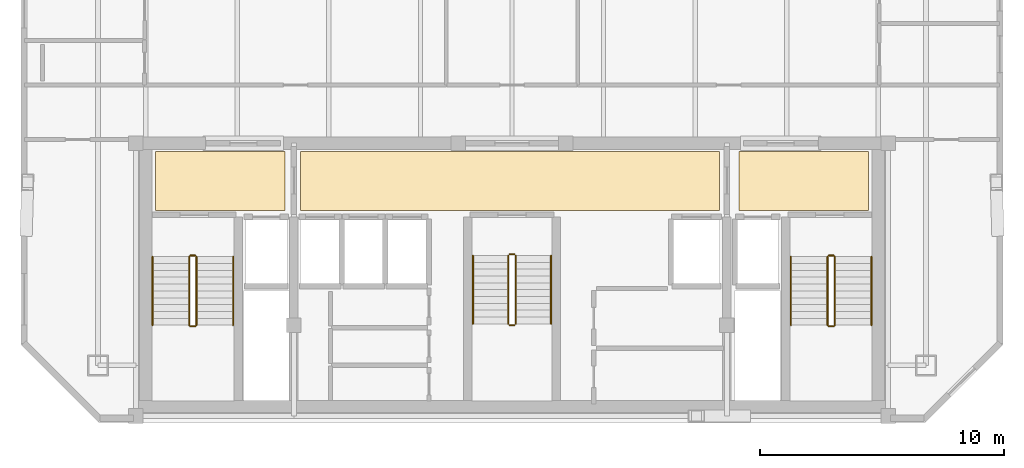
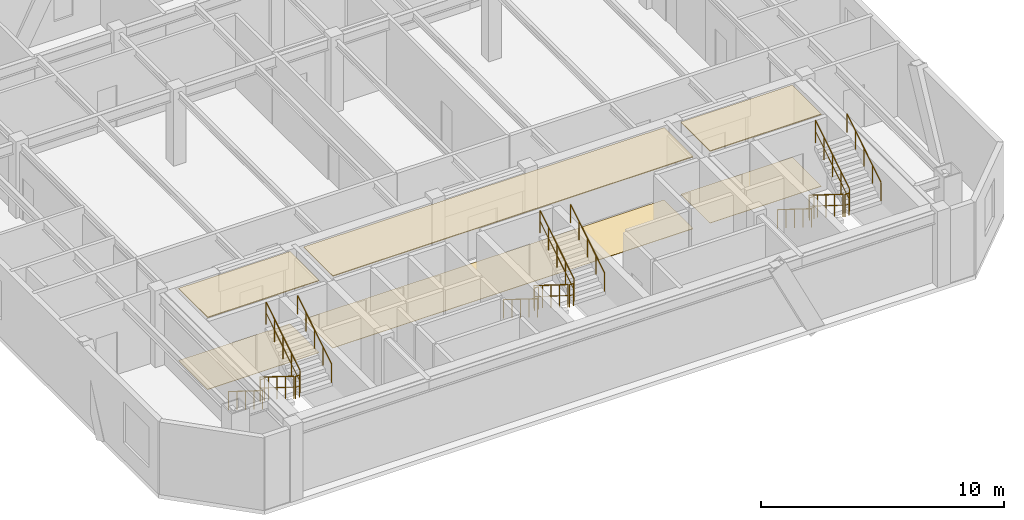
# One storey, part 6 of 6: 18 railings, 6 coverings.
"""IFC4 building model written with IfcOpenShell, lengths in metres."""

from ifc_helpers import new_model, si_unit, direction, frame, origin, origin_2d, place, context, subcontext, project, spatial, polyline, circle, outline, extrude, material, layer, layer_set, type_object, element, save


model = new_model("IFC4")

# Units and contexts
model_context = context("Model", 3, precision=1e-05, world=origin(), true_north=direction((0.0, 1.0)))
body_context = subcontext(model_context, "Body", "Model", "MODEL_VIEW")
ifc_project = project(units=[si_unit("LENGTHUNIT", "METRE"), si_unit("AREAUNIT", "SQUARE_METRE"), si_unit("VOLUMEUNIT", "CUBIC_METRE"), si_unit("PLANEANGLEUNIT", "RADIAN"), si_unit("MASSUNIT", "GRAM", prefix="KILO")], contexts=[model_context])

# Site, building, storey
site_placement = place(None, origin())
site = spatial("IfcSite", under=ifc_project, at=site_placement, CompositionType="ELEMENT")
building_placement = place(site_placement, origin())
building = spatial("IfcBuilding", under=site, at=building_placement, Name="Ventersveld Concourse Tower", CompositionType="ELEMENT")
storey_placement = place(building_placement, frame((0.0, 0.0, 296.449951171875)))
storey = spatial("IfcBuildingStorey", under=building, at=storey_placement, Name="L73", CompositionType="ELEMENT", Elevation=296.449951171875)

# Coverings
ifc_material_1 = material(Name="Mineral-fibre acoustic ceiling tile", Category="gypsum")
ifc_layer_1 = layer(ifc_material_1, 0.0400390625)
ifc_layer_set_1 = layer_set([ifc_layer_1], Name="Mineral-fibre acoustic ceiling tile")
covering_type_1 = type_object("IfcCoveringType", Name="COV-CEIL-ACOUSTIC", PredefinedType="CEILING", material=ifc_layer_set_1)
covering_1_placement = place(storey_placement, frame((0.0, 0.0, 3.610107421875)))
element("IfcCovering", 1, at=covering_1_placement, inside=storey, type_object=covering_type_1, Name="L73 North Lift Lobby Acoustic Ceiling", PredefinedType="CEILING", context=body_context, shape_type="SweptSolid", body=[
    extrude(outline(polyline([(20.10009765625, 8.699951171875), (37.25, 8.699951171875), (37.25, 11.10009765625), (20.10009765625, 11.10009765625), (20.10009765625, 8.699951171875)])), origin(), (0.0, 0.0, 1.0), 0.0400390625),
])
covering_2_placement = place(storey_placement, frame((0.0, 0.0, 3.610107421875)))
element("IfcCovering", 2, at=covering_2_placement, inside=storey, type_object=covering_type_1, Name="L73 West Firefighting Lobby Acoustic Ceiling", PredefinedType="CEILING", context=body_context, shape_type="SweptSolid", body=[
    extrude(outline(polyline([(14.14990234375, 8.699951171875), (19.449951171875, 8.699951171875), (19.449951171875, 11.10009765625), (14.14990234375, 11.10009765625), (14.14990234375, 8.699951171875)])), origin(), (0.0, 0.0, 1.0), 0.0400390625),
])
covering_3_placement = place(storey_placement, frame((0.0, 0.0, 3.610107421875)))
element("IfcCovering", 3, at=covering_3_placement, inside=storey, type_object=covering_type_1, Name="L73 East Firefighting Lobby Acoustic Ceiling", PredefinedType="CEILING", context=body_context, shape_type="SweptSolid", body=[
    extrude(outline(polyline([(38.050048828125, 8.699951171875), (43.35009765625, 8.699951171875), (43.35009765625, 11.10009765625), (38.050048828125, 11.10009765625), (38.050048828125, 8.699951171875)])), origin(), (0.0, 0.0, 1.0), 0.0400390625),
])
ifc_material_2 = material(Name="Polished Highveld granite terrazzo", Category="masonry")
ifc_layer_2 = layer(ifc_material_2, 0.02001953125)
ifc_layer_set_2 = layer_set([ifc_layer_2], Name="Polished Highveld granite terrazzo")
covering_type_2 = type_object("IfcCoveringType", Name="COV-FLOOR-TERRAZZO", PredefinedType="FLOORING", material=ifc_layer_set_2)
covering_4_placement = place(storey_placement, origin())
element("IfcCovering", 4, at=covering_4_placement, inside=storey, type_object=covering_type_2, Name="L73 North Lift Lobby Terrazzo Flooring", PredefinedType="FLOORING", context=body_context, shape_type="SweptSolid", body=[
    extrude(outline(polyline([(20.10009765625, 8.699951171875), (37.25, 8.699951171875), (37.25, 11.10009765625), (20.10009765625, 11.10009765625), (20.10009765625, 8.699951171875)])), origin(), (0.0, 0.0, 1.0), 0.02001953125),
])
covering_5_placement = place(storey_placement, origin())
element("IfcCovering", 5, at=covering_5_placement, inside=storey, type_object=covering_type_2, Name="L73 West Firefighting Lobby Terrazzo Flooring", PredefinedType="FLOORING", context=body_context, shape_type="SweptSolid", body=[
    extrude(outline(polyline([(14.14990234375, 8.699951171875), (19.449951171875, 8.699951171875), (19.449951171875, 11.10009765625), (14.14990234375, 11.10009765625), (14.14990234375, 8.699951171875)])), origin(), (0.0, 0.0, 1.0), 0.02001953125),
])
covering_6_placement = place(storey_placement, origin())
element("IfcCovering", 6, at=covering_6_placement, inside=storey, type_object=covering_type_2, Name="L73 East Firefighting Lobby Terrazzo Flooring", PredefinedType="FLOORING", context=body_context, shape_type="SweptSolid", body=[
    extrude(outline(polyline([(38.050048828125, 8.699951171875), (43.35009765625, 8.699951171875), (43.35009765625, 11.10009765625), (38.050048828125, 11.10009765625), (38.050048828125, 8.699951171875)])), origin(), (0.0, 0.0, 1.0), 0.02001953125),
])

# Railings
ifc_material_3 = material(Name="Brushed stainless steel 316", Category="steel")
railing_type_1 = type_object("IfcRailingType", Name="GD-BAL-115", PredefinedType="GUARDRAIL", material=ifc_material_3)
railing_1_placement = place(storey_placement, frame((15.530029296875, 6.800048828125, 0.175048828125)))
element("IfcRailing", 7, at=railing_1_placement, inside=storey, type_object=railing_type_1, Name="L73 ST-01 stair guard 1", PredefinedType="GUARDRAIL", context=body_context, shape_type="SweptSolid", body=[
    extrude(circle(Radius=0.02392578125, at=origin_2d()), frame((0.0, 0.0, 1.1259765625), z_axis=(0.0, -0.848002457836, 0.529992293815), x_axis=(1.0, 0.0, 0.0)), (0.0, 0.0, 1.0), 3.302001953125),
    extrude(circle(Radius=0.01611328125, at=origin_2d()), frame((0.0, 0.0, 0.574951171875), z_axis=(0.0, -0.848002457836, 0.529992293815), x_axis=(1.0, 0.0, 0.0)), (0.0, 0.0, 1.0), 3.302001953125),
    extrude(circle(Radius=0.02099609375, at=origin_2d()), origin(), (0.0, 0.0, 1.0), 1.101806640625),
    extrude(circle(Radius=0.02099609375, at=origin_2d()), frame((0.0, -0.699951171875, 0.4375)), (0.0, 0.0, 1.0), 1.101806640625),
    extrude(circle(Radius=0.02099609375, at=origin_2d()), frame((0.0, -1.39990234375, 0.875)), (0.0, 0.0, 1.0), 1.101806640625),
    extrude(circle(Radius=0.02099609375, at=origin_2d()), frame((0.0, -2.10009765625, 1.3125)), (0.0, 0.0, 1.0), 1.101806640625),
    extrude(circle(Radius=0.02099609375, at=origin_2d()), frame((0.0, -2.800048828125, 1.75)), (0.0, 0.0, 1.0), 1.101806640625),
])
railing_2_placement = place(storey_placement, frame((15.580078125, 3.949951171875, 1.925048828125)))
element("IfcRailing", 8, at=railing_2_placement, inside=storey, type_object=railing_type_1, Name="L73 ST-01 stair guard 2", PredefinedType="GUARDRAIL", context=body_context, shape_type="SweptSolid", body=[
    extrude(circle(Radius=0.02392578125, at=origin_2d()), frame((0.0, 0.0, 1.1259765625), z_axis=(1.0, 0.0, 0.0), x_axis=(0.0, 1.0, 0.0)), (0.0, 0.0, 1.0), 0.199951171875),
    extrude(circle(Radius=0.01611328125, at=origin_2d()), frame((0.0, 0.0, 0.574951171875), z_axis=(1.0, 0.0, 0.0), x_axis=(0.0, 1.0, 0.0)), (0.0, 0.0, 1.0), 0.199951171875),
    extrude(circle(Radius=0.02099609375, at=origin_2d()), origin(), (0.0, 0.0, 1.0), 1.101806640625),
    extrude(circle(Radius=0.02099609375, at=origin_2d()), frame((0.199951171875, 0.0, 0.0)), (0.0, 0.0, 1.0), 1.101806640625),
])
railing_3_placement = place(storey_placement, frame((15.830078125, 4.0, 2.10009765625)))
element("IfcRailing", 9, at=railing_3_placement, inside=storey, type_object=railing_type_1, Name="L73 ST-01 stair guard 3", PredefinedType="GUARDRAIL", context=body_context, shape_type="SweptSolid", body=[
    extrude(circle(Radius=0.02392578125, at=origin_2d()), frame((0.0, 0.0, 1.1259765625), z_axis=(0.0, 0.848002457836, 0.529992293815), x_axis=(-1.0, 0.0, 0.0)), (0.0, 0.0, 1.0), 3.302001953125),
    extrude(circle(Radius=0.01611328125, at=origin_2d()), frame((0.0, 0.0, 0.574951171875), z_axis=(0.0, 0.848002457836, 0.529992293815), x_axis=(-1.0, 0.0, 0.0)), (0.0, 0.0, 1.0), 3.302001953125),
    extrude(circle(Radius=0.02099609375, at=origin_2d()), origin(), (0.0, 0.0, 1.0), 1.101806640625),
    extrude(circle(Radius=0.02099609375, at=origin_2d()), frame((0.0, 0.699951171875, 0.4375)), (0.0, 0.0, 1.0), 1.101806640625),
    extrude(circle(Radius=0.02099609375, at=origin_2d()), frame((0.0, 1.39990234375, 0.875)), (0.0, 0.0, 1.0), 1.101806640625),
    extrude(circle(Radius=0.02099609375, at=origin_2d()), frame((0.0, 2.10009765625, 1.3125)), (0.0, 0.0, 1.0), 1.101806640625),
    extrude(circle(Radius=0.02099609375, at=origin_2d()), frame((0.0, 2.800048828125, 1.75)), (0.0, 0.0, 1.0), 1.101806640625),
])
railing_4_placement = place(storey_placement, frame((15.580078125, 6.85009765625, 0.0)))
element("IfcRailing", 10, at=railing_4_placement, inside=storey, type_object=railing_type_1, Name="L73 ST-01 stair guard 4", PredefinedType="GUARDRAIL", context=body_context, shape_type="SweptSolid", body=[
    extrude(circle(Radius=0.02392578125, at=origin_2d()), frame((0.0, 0.0, 1.1259765625), z_axis=(1.0, 0.0, 0.0), x_axis=(0.0, 1.0, 0.0)), (0.0, 0.0, 1.0), 0.199951171875),
    extrude(circle(Radius=0.01611328125, at=origin_2d()), frame((0.0, 0.0, 0.574951171875), z_axis=(1.0, 0.0, 0.0), x_axis=(0.0, 1.0, 0.0)), (0.0, 0.0, 1.0), 0.199951171875),
    extrude(circle(Radius=0.02099609375, at=origin_2d()), origin(), (0.0, 0.0, 1.0), 1.101806640625),
    extrude(circle(Radius=0.02099609375, at=origin_2d()), frame((0.199951171875, 0.0, 0.0)), (0.0, 0.0, 1.0), 1.101806640625),
])
railing_5_placement = place(storey_placement, frame((41.669921875, 6.800048828125, 0.175048828125)))
element("IfcRailing", 11, at=railing_5_placement, inside=storey, type_object=railing_type_1, Name="L73 ST-02 stair guard 1", PredefinedType="GUARDRAIL", context=body_context, shape_type="SweptSolid", body=[
    extrude(circle(Radius=0.02392578125, at=origin_2d()), frame((0.0, 0.0, 1.1259765625), z_axis=(0.0, -0.848002457836, 0.529992293815), x_axis=(1.0, 0.0, 0.0)), (0.0, 0.0, 1.0), 3.302001953125),
    extrude(circle(Radius=0.01611328125, at=origin_2d()), frame((0.0, 0.0, 0.574951171875), z_axis=(0.0, -0.848002457836, 0.529992293815), x_axis=(1.0, 0.0, 0.0)), (0.0, 0.0, 1.0), 3.302001953125),
    extrude(circle(Radius=0.02099609375, at=origin_2d()), origin(), (0.0, 0.0, 1.0), 1.101806640625),
    extrude(circle(Radius=0.02099609375, at=origin_2d()), frame((0.0, -0.699951171875, 0.4375)), (0.0, 0.0, 1.0), 1.101806640625),
    extrude(circle(Radius=0.02099609375, at=origin_2d()), frame((0.0, -1.39990234375, 0.875)), (0.0, 0.0, 1.0), 1.101806640625),
    extrude(circle(Radius=0.02099609375, at=origin_2d()), frame((0.0, -2.10009765625, 1.3125)), (0.0, 0.0, 1.0), 1.101806640625),
    extrude(circle(Radius=0.02099609375, at=origin_2d()), frame((0.0, -2.800048828125, 1.75)), (0.0, 0.0, 1.0), 1.101806640625),
])
railing_6_placement = place(storey_placement, frame((41.719970703125, 3.949951171875, 1.925048828125)))
element("IfcRailing", 12, at=railing_6_placement, inside=storey, type_object=railing_type_1, Name="L73 ST-02 stair guard 2", PredefinedType="GUARDRAIL", context=body_context, shape_type="SweptSolid", body=[
    extrude(circle(Radius=0.02392578125, at=origin_2d()), frame((0.0, 0.0, 1.1259765625), z_axis=(1.0, 0.0, 0.0), x_axis=(0.0, 1.0, 0.0)), (0.0, 0.0, 1.0), 0.199951171875),
    extrude(circle(Radius=0.01611328125, at=origin_2d()), frame((0.0, 0.0, 0.574951171875), z_axis=(1.0, 0.0, 0.0), x_axis=(0.0, 1.0, 0.0)), (0.0, 0.0, 1.0), 0.199951171875),
    extrude(circle(Radius=0.02099609375, at=origin_2d()), origin(), (0.0, 0.0, 1.0), 1.101806640625),
    extrude(circle(Radius=0.02099609375, at=origin_2d()), frame((0.199951171875, 0.0, 0.0)), (0.0, 0.0, 1.0), 1.101806640625),
])
railing_7_placement = place(storey_placement, frame((41.969970703125, 4.0, 2.10009765625)))
element("IfcRailing", 13, at=railing_7_placement, inside=storey, type_object=railing_type_1, Name="L73 ST-02 stair guard 3", PredefinedType="GUARDRAIL", context=body_context, shape_type="SweptSolid", body=[
    extrude(circle(Radius=0.02392578125, at=origin_2d()), frame((0.0, 0.0, 1.1259765625), z_axis=(0.0, 0.848002457836, 0.529992293815), x_axis=(-1.0, 0.0, 0.0)), (0.0, 0.0, 1.0), 3.302001953125),
    extrude(circle(Radius=0.01611328125, at=origin_2d()), frame((0.0, 0.0, 0.574951171875), z_axis=(0.0, 0.848002457836, 0.529992293815), x_axis=(-1.0, 0.0, 0.0)), (0.0, 0.0, 1.0), 3.302001953125),
    extrude(circle(Radius=0.02099609375, at=origin_2d()), origin(), (0.0, 0.0, 1.0), 1.101806640625),
    extrude(circle(Radius=0.02099609375, at=origin_2d()), frame((0.0, 0.699951171875, 0.4375)), (0.0, 0.0, 1.0), 1.101806640625),
    extrude(circle(Radius=0.02099609375, at=origin_2d()), frame((0.0, 1.39990234375, 0.875)), (0.0, 0.0, 1.0), 1.101806640625),
    extrude(circle(Radius=0.02099609375, at=origin_2d()), frame((0.0, 2.10009765625, 1.3125)), (0.0, 0.0, 1.0), 1.101806640625),
    extrude(circle(Radius=0.02099609375, at=origin_2d()), frame((0.0, 2.800048828125, 1.75)), (0.0, 0.0, 1.0), 1.101806640625),
])
railing_8_placement = place(storey_placement, frame((41.719970703125, 6.85009765625, 0.0)))
element("IfcRailing", 14, at=railing_8_placement, inside=storey, type_object=railing_type_1, Name="L73 ST-02 stair guard 4", PredefinedType="GUARDRAIL", context=body_context, shape_type="SweptSolid", body=[
    extrude(circle(Radius=0.02392578125, at=origin_2d()), frame((0.0, 0.0, 1.1259765625), z_axis=(1.0, 0.0, 0.0), x_axis=(0.0, 1.0, 0.0)), (0.0, 0.0, 1.0), 0.199951171875),
    extrude(circle(Radius=0.01611328125, at=origin_2d()), frame((0.0, 0.0, 0.574951171875), z_axis=(1.0, 0.0, 0.0), x_axis=(0.0, 1.0, 0.0)), (0.0, 0.0, 1.0), 0.199951171875),
    extrude(circle(Radius=0.02099609375, at=origin_2d()), origin(), (0.0, 0.0, 1.0), 1.101806640625),
    extrude(circle(Radius=0.02099609375, at=origin_2d()), frame((0.199951171875, 0.0, 0.0)), (0.0, 0.0, 1.0), 1.101806640625),
])
railing_9_placement = place(storey_placement, frame((28.60009765625, 6.85009765625, 0.175048828125)))
element("IfcRailing", 15, at=railing_9_placement, inside=storey, type_object=railing_type_1, Name="L73 ST-03 stair guard 1", PredefinedType="GUARDRAIL", context=body_context, shape_type="SweptSolid", body=[
    extrude(circle(Radius=0.02392578125, at=origin_2d()), frame((0.0, 0.0, 1.1259765625), z_axis=(0.0, -0.848002457836, 0.529992293815), x_axis=(1.0, 0.0, 0.0)), (0.0, 0.0, 1.0), 3.302001953125),
    extrude(circle(Radius=0.01611328125, at=origin_2d()), frame((0.0, 0.0, 0.574951171875), z_axis=(0.0, -0.848002457836, 0.529992293815), x_axis=(1.0, 0.0, 0.0)), (0.0, 0.0, 1.0), 3.302001953125),
    extrude(circle(Radius=0.02099609375, at=origin_2d()), origin(), (0.0, 0.0, 1.0), 1.101806640625),
    extrude(circle(Radius=0.02099609375, at=origin_2d()), frame((0.0, -0.699951171875, 0.4375)), (0.0, 0.0, 1.0), 1.101806640625),
    extrude(circle(Radius=0.02099609375, at=origin_2d()), frame((0.0, -1.39990234375, 0.875)), (0.0, 0.0, 1.0), 1.101806640625),
    extrude(circle(Radius=0.02099609375, at=origin_2d()), frame((0.0, -2.10009765625, 1.3125)), (0.0, 0.0, 1.0), 1.101806640625),
    extrude(circle(Radius=0.02099609375, at=origin_2d()), frame((0.0, -2.800048828125, 1.75)), (0.0, 0.0, 1.0), 1.101806640625),
])
railing_10_placement = place(storey_placement, frame((28.64990234375, 4.0, 1.925048828125)))
element("IfcRailing", 16, at=railing_10_placement, inside=storey, type_object=railing_type_1, Name="L73 ST-03 stair guard 2", PredefinedType="GUARDRAIL", context=body_context, shape_type="SweptSolid", body=[
    extrude(circle(Radius=0.02392578125, at=origin_2d()), frame((0.0, 0.0, 1.1259765625), z_axis=(1.0, 0.0, 0.0), x_axis=(0.0, 1.0, 0.0)), (0.0, 0.0, 1.0), 0.2001953125),
    extrude(circle(Radius=0.01611328125, at=origin_2d()), frame((0.0, 0.0, 0.574951171875), z_axis=(1.0, 0.0, 0.0), x_axis=(0.0, 1.0, 0.0)), (0.0, 0.0, 1.0), 0.2001953125),
    extrude(circle(Radius=0.02099609375, at=origin_2d()), origin(), (0.0, 0.0, 1.0), 1.101806640625),
    extrude(circle(Radius=0.02099609375, at=origin_2d()), frame((0.2001953125, 0.0, 0.0)), (0.0, 0.0, 1.0), 1.101806640625),
])
railing_11_placement = place(storey_placement, frame((28.89990234375, 4.050048828125, 2.10009765625)))
element("IfcRailing", 17, at=railing_11_placement, inside=storey, type_object=railing_type_1, Name="L73 ST-03 stair guard 3", PredefinedType="GUARDRAIL", context=body_context, shape_type="SweptSolid", body=[
    extrude(circle(Radius=0.02392578125, at=origin_2d()), frame((0.0, 0.0, 1.1259765625), z_axis=(0.0, 0.848002457836, 0.529992293815), x_axis=(-1.0, 0.0, 0.0)), (0.0, 0.0, 1.0), 3.302001953125),
    extrude(circle(Radius=0.01611328125, at=origin_2d()), frame((0.0, 0.0, 0.574951171875), z_axis=(0.0, 0.848002457836, 0.529992293815), x_axis=(-1.0, 0.0, 0.0)), (0.0, 0.0, 1.0), 3.302001953125),
    extrude(circle(Radius=0.02099609375, at=origin_2d()), origin(), (0.0, 0.0, 1.0), 1.101806640625),
    extrude(circle(Radius=0.02099609375, at=origin_2d()), frame((0.0, 0.699951171875, 0.4375)), (0.0, 0.0, 1.0), 1.101806640625),
    extrude(circle(Radius=0.02099609375, at=origin_2d()), frame((0.0, 1.39990234375, 0.875)), (0.0, 0.0, 1.0), 1.101806640625),
    extrude(circle(Radius=0.02099609375, at=origin_2d()), frame((0.0, 2.10009765625, 1.3125)), (0.0, 0.0, 1.0), 1.101806640625),
    extrude(circle(Radius=0.02099609375, at=origin_2d()), frame((0.0, 2.800048828125, 1.75)), (0.0, 0.0, 1.0), 1.101806640625),
])
railing_12_placement = place(storey_placement, frame((28.64990234375, 6.89990234375, 0.0)))
element("IfcRailing", 18, at=railing_12_placement, inside=storey, type_object=railing_type_1, Name="L73 ST-03 stair guard 4", PredefinedType="GUARDRAIL", context=body_context, shape_type="SweptSolid", body=[
    extrude(circle(Radius=0.02392578125, at=origin_2d()), frame((0.0, 0.0, 1.1259765625), z_axis=(1.0, 0.0, 0.0), x_axis=(0.0, 1.0, 0.0)), (0.0, 0.0, 1.0), 0.2001953125),
    extrude(circle(Radius=0.01611328125, at=origin_2d()), frame((0.0, 0.0, 0.574951171875), z_axis=(1.0, 0.0, 0.0), x_axis=(0.0, 1.0, 0.0)), (0.0, 0.0, 1.0), 0.2001953125),
    extrude(circle(Radius=0.02099609375, at=origin_2d()), origin(), (0.0, 0.0, 1.0), 1.101806640625),
    extrude(circle(Radius=0.02099609375, at=origin_2d()), frame((0.2001953125, 0.0, 0.0)), (0.0, 0.0, 1.0), 1.101806640625),
])
railing_type_2 = type_object("IfcRailingType", Name="HR-RMP-095", PredefinedType="HANDRAIL", material=ifc_material_3)
railing_13_placement = place(storey_placement, frame((14.030029296875, 6.800048828125, 0.175048828125)))
element("IfcRailing", 19, at=railing_13_placement, inside=storey, type_object=railing_type_2, Name="L73 ST-01 stair handrail 1", PredefinedType="HANDRAIL", context=body_context, shape_type="SweptSolid", body=[
    extrude(circle(Radius=0.02392578125, at=origin_2d()), frame((0.0, 0.0, 0.92578125), z_axis=(0.0, -0.848002457836, 0.529992293815), x_axis=(1.0, 0.0, 0.0)), (0.0, 0.0, 1.0), 3.302001953125),
    extrude(circle(Radius=0.02099609375, at=origin_2d()), origin(), (0.0, 0.0, 1.0), 0.90185546875),
    extrude(circle(Radius=0.02099609375, at=origin_2d()), frame((0.0, -0.699951171875, 0.4375)), (0.0, 0.0, 1.0), 0.90185546875),
    extrude(circle(Radius=0.02099609375, at=origin_2d()), frame((0.0, -1.39990234375, 0.875)), (0.0, 0.0, 1.0), 0.90185546875),
    extrude(circle(Radius=0.02099609375, at=origin_2d()), frame((0.0, -2.10009765625, 1.3125)), (0.0, 0.0, 1.0), 0.90185546875),
    extrude(circle(Radius=0.02099609375, at=origin_2d()), frame((0.0, -2.800048828125, 1.75)), (0.0, 0.0, 1.0), 0.90185546875),
])
railing_14_placement = place(storey_placement, frame((17.330078125, 4.0, 2.10009765625)))
element("IfcRailing", 20, at=railing_14_placement, inside=storey, type_object=railing_type_2, Name="L73 ST-01 stair handrail 2", PredefinedType="HANDRAIL", context=body_context, shape_type="SweptSolid", body=[
    extrude(circle(Radius=0.02392578125, at=origin_2d()), frame((0.0, 0.0, 0.92578125), z_axis=(0.0, 0.848002457836, 0.529992293815), x_axis=(-1.0, 0.0, 0.0)), (0.0, 0.0, 1.0), 3.302001953125),
    extrude(circle(Radius=0.02099609375, at=origin_2d()), origin(), (0.0, 0.0, 1.0), 0.90185546875),
    extrude(circle(Radius=0.02099609375, at=origin_2d()), frame((0.0, 0.699951171875, 0.4375)), (0.0, 0.0, 1.0), 0.90185546875),
    extrude(circle(Radius=0.02099609375, at=origin_2d()), frame((0.0, 1.39990234375, 0.875)), (0.0, 0.0, 1.0), 0.90185546875),
    extrude(circle(Radius=0.02099609375, at=origin_2d()), frame((0.0, 2.10009765625, 1.3125)), (0.0, 0.0, 1.0), 0.90185546875),
    extrude(circle(Radius=0.02099609375, at=origin_2d()), frame((0.0, 2.800048828125, 1.75)), (0.0, 0.0, 1.0), 0.90185546875),
])
railing_15_placement = place(storey_placement, frame((40.169921875, 6.800048828125, 0.175048828125)))
element("IfcRailing", 21, at=railing_15_placement, inside=storey, type_object=railing_type_2, Name="L73 ST-02 stair handrail 1", PredefinedType="HANDRAIL", context=body_context, shape_type="SweptSolid", body=[
    extrude(circle(Radius=0.02392578125, at=origin_2d()), frame((0.0, 0.0, 0.92578125), z_axis=(0.0, -0.848002457836, 0.529992293815), x_axis=(1.0, 0.0, 0.0)), (0.0, 0.0, 1.0), 3.302001953125),
    extrude(circle(Radius=0.02099609375, at=origin_2d()), origin(), (0.0, 0.0, 1.0), 0.90185546875),
    extrude(circle(Radius=0.02099609375, at=origin_2d()), frame((0.0, -0.699951171875, 0.4375)), (0.0, 0.0, 1.0), 0.90185546875),
    extrude(circle(Radius=0.02099609375, at=origin_2d()), frame((0.0, -1.39990234375, 0.875)), (0.0, 0.0, 1.0), 0.90185546875),
    extrude(circle(Radius=0.02099609375, at=origin_2d()), frame((0.0, -2.10009765625, 1.3125)), (0.0, 0.0, 1.0), 0.90185546875),
    extrude(circle(Radius=0.02099609375, at=origin_2d()), frame((0.0, -2.800048828125, 1.75)), (0.0, 0.0, 1.0), 0.90185546875),
])
railing_16_placement = place(storey_placement, frame((43.469970703125, 4.0, 2.10009765625)))
element("IfcRailing", 22, at=railing_16_placement, inside=storey, type_object=railing_type_2, Name="L73 ST-02 stair handrail 2", PredefinedType="HANDRAIL", context=body_context, shape_type="SweptSolid", body=[
    extrude(circle(Radius=0.02392578125, at=origin_2d()), frame((0.0, 0.0, 0.92578125), z_axis=(0.0, 0.848002457836, 0.529992293815), x_axis=(-1.0, 0.0, 0.0)), (0.0, 0.0, 1.0), 3.302001953125),
    extrude(circle(Radius=0.02099609375, at=origin_2d()), origin(), (0.0, 0.0, 1.0), 0.90185546875),
    extrude(circle(Radius=0.02099609375, at=origin_2d()), frame((0.0, 0.699951171875, 0.4375)), (0.0, 0.0, 1.0), 0.90185546875),
    extrude(circle(Radius=0.02099609375, at=origin_2d()), frame((0.0, 1.39990234375, 0.875)), (0.0, 0.0, 1.0), 0.90185546875),
    extrude(circle(Radius=0.02099609375, at=origin_2d()), frame((0.0, 2.10009765625, 1.3125)), (0.0, 0.0, 1.0), 0.90185546875),
    extrude(circle(Radius=0.02099609375, at=origin_2d()), frame((0.0, 2.800048828125, 1.75)), (0.0, 0.0, 1.0), 0.90185546875),
])
railing_17_placement = place(storey_placement, frame((27.14990234375, 6.85009765625, 0.175048828125)))
element("IfcRailing", 23, at=railing_17_placement, inside=storey, type_object=railing_type_2, Name="L73 ST-03 stair handrail 1", PredefinedType="HANDRAIL", context=body_context, shape_type="SweptSolid", body=[
    extrude(circle(Radius=0.02392578125, at=origin_2d()), frame((0.0, 0.0, 0.92578125), z_axis=(0.0, -0.848002457836, 0.529992293815), x_axis=(1.0, 0.0, 0.0)), (0.0, 0.0, 1.0), 3.302001953125),
    extrude(circle(Radius=0.02099609375, at=origin_2d()), origin(), (0.0, 0.0, 1.0), 0.90185546875),
    extrude(circle(Radius=0.02099609375, at=origin_2d()), frame((0.0, -0.699951171875, 0.4375)), (0.0, 0.0, 1.0), 0.90185546875),
    extrude(circle(Radius=0.02099609375, at=origin_2d()), frame((0.0, -1.39990234375, 0.875)), (0.0, 0.0, 1.0), 0.90185546875),
    extrude(circle(Radius=0.02099609375, at=origin_2d()), frame((0.0, -2.10009765625, 1.3125)), (0.0, 0.0, 1.0), 0.90185546875),
    extrude(circle(Radius=0.02099609375, at=origin_2d()), frame((0.0, -2.800048828125, 1.75)), (0.0, 0.0, 1.0), 0.90185546875),
])
railing_18_placement = place(storey_placement, frame((30.35009765625, 4.050048828125, 2.10009765625)))
element("IfcRailing", 24, at=railing_18_placement, inside=storey, type_object=railing_type_2, Name="L73 ST-03 stair handrail 2", PredefinedType="HANDRAIL", context=body_context, shape_type="SweptSolid", body=[
    extrude(circle(Radius=0.02392578125, at=origin_2d()), frame((0.0, 0.0, 0.92578125), z_axis=(0.0, 0.848002457836, 0.529992293815), x_axis=(-1.0, 0.0, 0.0)), (0.0, 0.0, 1.0), 3.302001953125),
    extrude(circle(Radius=0.02099609375, at=origin_2d()), origin(), (0.0, 0.0, 1.0), 0.90185546875),
    extrude(circle(Radius=0.02099609375, at=origin_2d()), frame((0.0, 0.699951171875, 0.4375)), (0.0, 0.0, 1.0), 0.90185546875),
    extrude(circle(Radius=0.02099609375, at=origin_2d()), frame((0.0, 1.39990234375, 0.875)), (0.0, 0.0, 1.0), 0.90185546875),
    extrude(circle(Radius=0.02099609375, at=origin_2d()), frame((0.0, 2.10009765625, 1.3125)), (0.0, 0.0, 1.0), 0.90185546875),
    extrude(circle(Radius=0.02099609375, at=origin_2d()), frame((0.0, 2.800048828125, 1.75)), (0.0, 0.0, 1.0), 0.90185546875),
])

save(model, "model.ifc")
